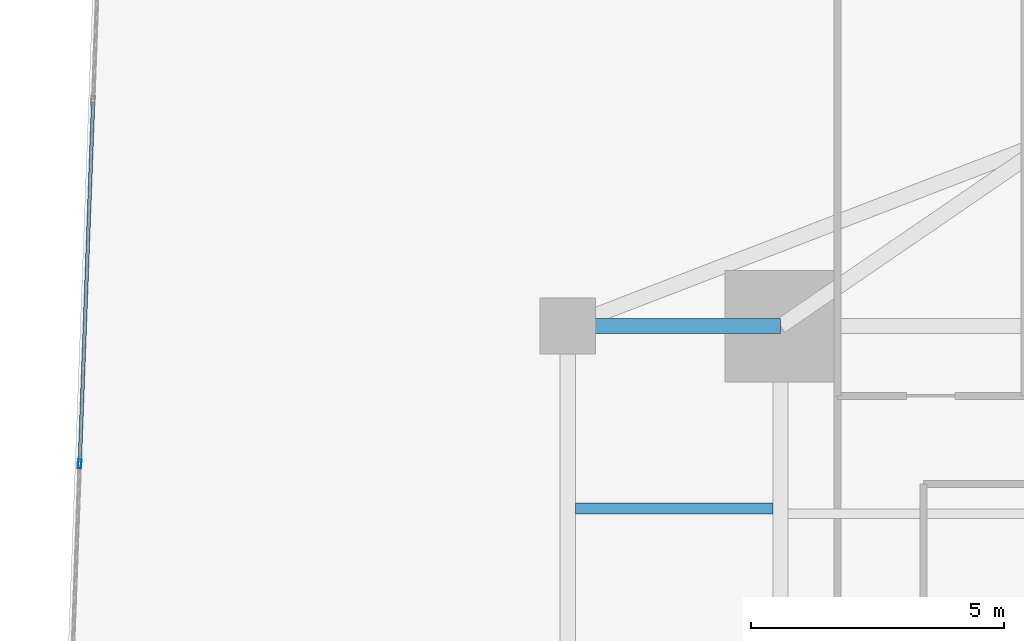
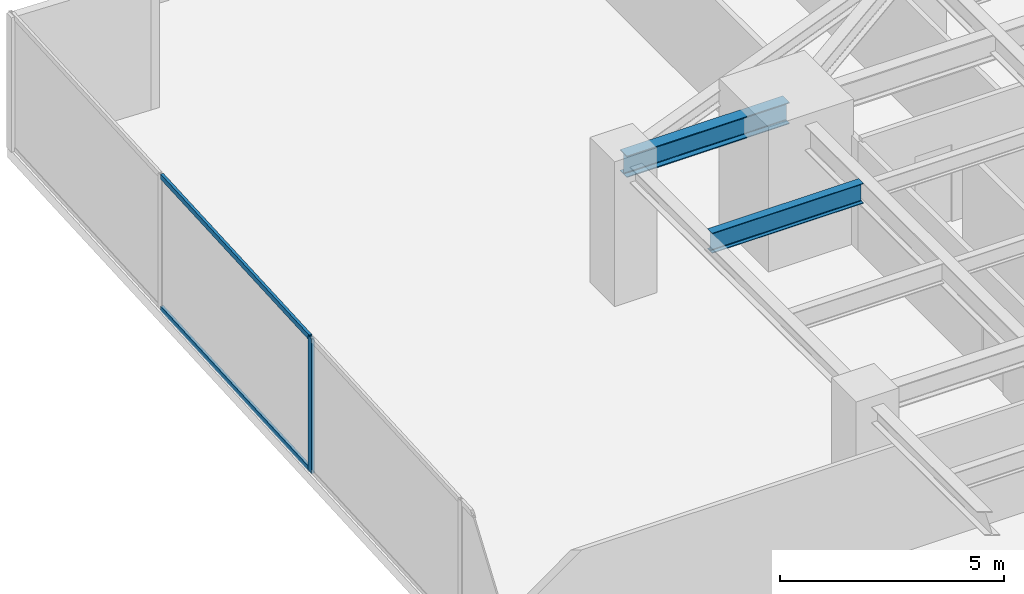
# One storey, part 17 of 30: 3 members, 2 beams, 1 element without a shape of its own.
"""IFC4 building model written with IfcOpenShell, lengths in metres."""

from ifc_helpers import new_model, si_unit, direction, frame, origin, origin_2d, place, context, subcontext, project, spatial, hollow_rectangle, i_section, extrude, source, transform, mapped, material, material_profile, profile_set, type_object, type_shapes, element, aggregate, save


model = new_model("IFC4")

# Units and contexts
model_context = context("Model", 3, precision=1e-05, world=origin(), true_north=direction((0.0, 1.0)))
body_context = subcontext(model_context, "Body", "Model", "MODEL_VIEW")
ifc_project = project(units=[si_unit("LENGTHUNIT", "METRE"), si_unit("AREAUNIT", "SQUARE_METRE"), si_unit("VOLUMEUNIT", "CUBIC_METRE"), si_unit("PLANEANGLEUNIT", "RADIAN"), si_unit("MASSUNIT", "GRAM", prefix="KILO")], contexts=[model_context])

# Site, building, storey
site_placement = place(None, origin())
site = spatial("IfcSite", under=ifc_project, at=site_placement, CompositionType="ELEMENT")
building_placement = place(site_placement, origin())
building = spatial("IfcBuilding", under=site, at=building_placement, Name="Krantzveldt Concourse Tower", CompositionType="ELEMENT")
storey_placement = place(building_placement, frame((0.0, 0.0, 44.75)))
storey = spatial("IfcBuildingStorey", under=building, at=storey_placement, Name="L10", CompositionType="ELEMENT", Elevation=44.75)

# Beams
ifc_material_1 = material(Name="Steel S355JR", Category="steel")
ifc_material_profile_1 = material_profile(ifc_material_1, i_section(OverallWidth=0.300048828125, OverallDepth=0.590087890625, WebThickness=0.012939453125, FlangeThickness=0.02490234375, FilletRadius=0.027099609375, at=origin_2d()), Name="Steel S355JR", Category="steel")
ifc_profile_set_1 = profile_set([ifc_material_profile_1], Name="Steel S355JR - HEA 600")
beam_type_1 = type_object("IfcBeamType", Name="BM-B-HEA600", PredefinedType="BEAM", material=ifc_profile_set_1)
shared_shape_1 = source(origin(), body_context, "Body", "SweptSolid", [
    extrude(i_section(OverallWidth=0.300048828125, OverallDepth=0.590087890625, WebThickness=0.012939453125, FlangeThickness=0.02490234375, FilletRadius=0.027099609375, at=origin_2d()), origin(), (0.0, 0.0, 1.0), 4.199951171875),
])
type_shapes(beam_type_1, [shared_shape_1])
beam_1_placement = place(storey_placement, frame((21.0, 37.5, 3.375), z_axis=(1.0, 0.0, 0.0), x_axis=(0.0, 1.0, 0.0)))
element("IfcBeam", 1, at=beam_1_placement, inside=storey, type_object=beam_type_1, Name="L10 Tower Girder BR-RL3", PredefinedType="BEAM", context=body_context, shape_type="MappedRepresentation", body=[
    mapped(shared_shape_1, transform((0.0, 0.0, 0.0), x_axis=(1.0, 0.0, 0.0), y_axis=(0.0, 1.0, 0.0), z_axis=(0.0, 0.0, 1.0), scale=1.0)),
])
ifc_material_profile_2 = material_profile(ifc_material_1, i_section(OverallWidth=0.2099609375, OverallDepth=0.550048828125, WebThickness=0.010986328125, FlangeThickness=0.01708984375, FilletRadius=0.02392578125, at=origin_2d()), Name="Steel S355JR", Category="steel")
ifc_profile_set_2 = profile_set([ifc_material_profile_2], Name="Steel S355JR - IPE 550")
beam_type_2 = type_object("IfcBeamType", Name="BM-J-IPE550", PredefinedType="JOIST", material=ifc_profile_set_2)
shared_shape_2 = source(origin(), body_context, "Body", "SweptSolid", [
    extrude(i_section(OverallWidth=0.2099609375, OverallDepth=0.550048828125, WebThickness=0.010986328125, FlangeThickness=0.01708984375, FilletRadius=0.02392578125, at=origin_2d()), origin(), (0.0, 0.0, 1.0), 3.900146484375),
])
type_shapes(beam_type_2, [shared_shape_2])
beam_2_placement = place(storey_placement, frame((21.14990234375, 33.89990234375, 3.39501953125), z_axis=(1.0, 0.0, 0.0), x_axis=(0.0, 1.0, 0.0)))
element("IfcBeam", 2, at=beam_2_placement, inside=storey, type_object=beam_type_2, Name="L10 Secondary Floor Joist JW-4", PredefinedType="JOIST", context=body_context, shape_type="MappedRepresentation", body=[
    mapped(shared_shape_2, transform((0.0, 0.0, 0.0), x_axis=(1.0, 0.0, 0.0), y_axis=(0.0, 1.0, 0.0), z_axis=(0.0, 0.0, 1.0), scale=1.0)),
])

# Curtain wall, members
ifc_material_2 = material(Name="Anodised aluminium 6063-T6", Category="aluminium")
curtain_wall_type = type_object("IfcCurtainWallType", Name="CW2", PredefinedType="USERDEFINED", material=ifc_material_2)
curtain_wall_placement = place(storey_placement, origin())
curtain_wall = element("IfcCurtainWall", 3, at=curtain_wall_placement, inside=storey, type_object=curtain_wall_type, Name="CW-L10-F01", ObjectType="UNITISED CURTAIN WALL", PredefinedType="USERDEFINED")
ifc_material_profile_3 = material_profile(ifc_material_2, hollow_rectangle(XDim=0.070068359375, YDim=0.179931640625, WallThickness=0.0048828125, at=origin_2d()), Name="Anodised aluminium 6063-T6", Category="aluminium")
ifc_profile_set_3 = profile_set([ifc_material_profile_3], Name="Anodised aluminium 6063-T6 - ALU-MULL 180x70x5")
member_type_1 = type_object("IfcMemberType", Name="CW-MUL-180", PredefinedType="MULLION", material=ifc_profile_set_3)
shared_shape_3 = source(origin(), body_context, "Body", "SweptSolid", [
    extrude(hollow_rectangle(XDim=0.070068359375, YDim=0.179931640625, WallThickness=0.0048828125, at=origin_2d()), origin(), (0.0, 0.0, 1.0), 3.669921875),
])
type_shapes(member_type_1, [shared_shape_3])
member_1_placement = place(storey_placement, frame((11.372802734375, 34.785400390625, 0.0), z_axis=(0.0, 0.0, 1.0), x_axis=(0.999312308986, -0.037079766834, 0.0)))
member_1 = element("IfcMember", 4, at=member_1_placement, type_object=member_type_1, Name="CW-Z12 mullion 3", PredefinedType="MULLION", context=body_context, shape_type="MappedRepresentation", body=[
    mapped(shared_shape_3, transform((0.0, 0.0, 0.0), x_axis=(1.0, 0.0, 0.0), y_axis=(0.0, 1.0, 0.0), z_axis=(0.0, 0.0, 1.0), scale=1.0)),
])
ifc_material_profile_4 = material_profile(ifc_material_2, hollow_rectangle(XDim=0.070068359375, YDim=0.139892578125, WallThickness=0.0048828125, at=origin_2d()), Name="Anodised aluminium 6063-T6", Category="aluminium")
ifc_profile_set_4 = profile_set([ifc_material_profile_4], Name="Anodised aluminium 6063-T6 - ALU-TRAN 140x70x5")
member_type_2 = type_object("IfcMemberType", Name="CW-TRN-150", PredefinedType="USERDEFINED", material=ifc_profile_set_4)
shared_shape_4 = source(origin(), body_context, "Body", "SweptSolid", [
    extrude(hollow_rectangle(XDim=0.070068359375, YDim=0.139892578125, WallThickness=0.0048828125, at=origin_2d()), origin(), (0.0, 0.0, 1.0), 7.0966796875),
])
type_shapes(member_type_2, [shared_shape_4])
member_2_placement = place(storey_placement, frame((11.63720703125, 41.912109375, 0.034912109375), z_axis=(-0.037051105127, -0.999313372075, 0.0), x_axis=(0.999313372075, -0.037051105127, 0.0)))
member_2 = element("IfcMember", 5, at=member_2_placement, type_object=member_type_2, Name="CW-Z12 transom 2.1", ObjectType="TRANSOM", PredefinedType="USERDEFINED", context=body_context, shape_type="MappedRepresentation", body=[
    mapped(shared_shape_4, transform((0.0, 0.0, 0.0), x_axis=(1.0, 0.0, 0.0), y_axis=(0.0, 1.0, 0.0), z_axis=(0.0, 0.0, 1.0), scale=1.0)),
])
member_3_placement = place(storey_placement, frame((11.63720703125, 41.912109375, 3.635009765625), z_axis=(-0.037051105127, -0.999313372075, 0.0), x_axis=(0.999313372075, -0.037051105127, 0.0)))
member_3 = element("IfcMember", 6, at=member_3_placement, type_object=member_type_2, Name="CW-Z12 transom 2.2", ObjectType="TRANSOM", PredefinedType="USERDEFINED", context=body_context, shape_type="MappedRepresentation", body=[
    mapped(shared_shape_4, transform((0.0, 0.0, 0.0), x_axis=(1.0, 0.0, 0.0), y_axis=(0.0, 1.0, 0.0), z_axis=(0.0, 0.0, 1.0), scale=1.0)),
])
aggregate(curtain_wall, [member_1, member_2, member_3])

save(model, "model.ifc")
